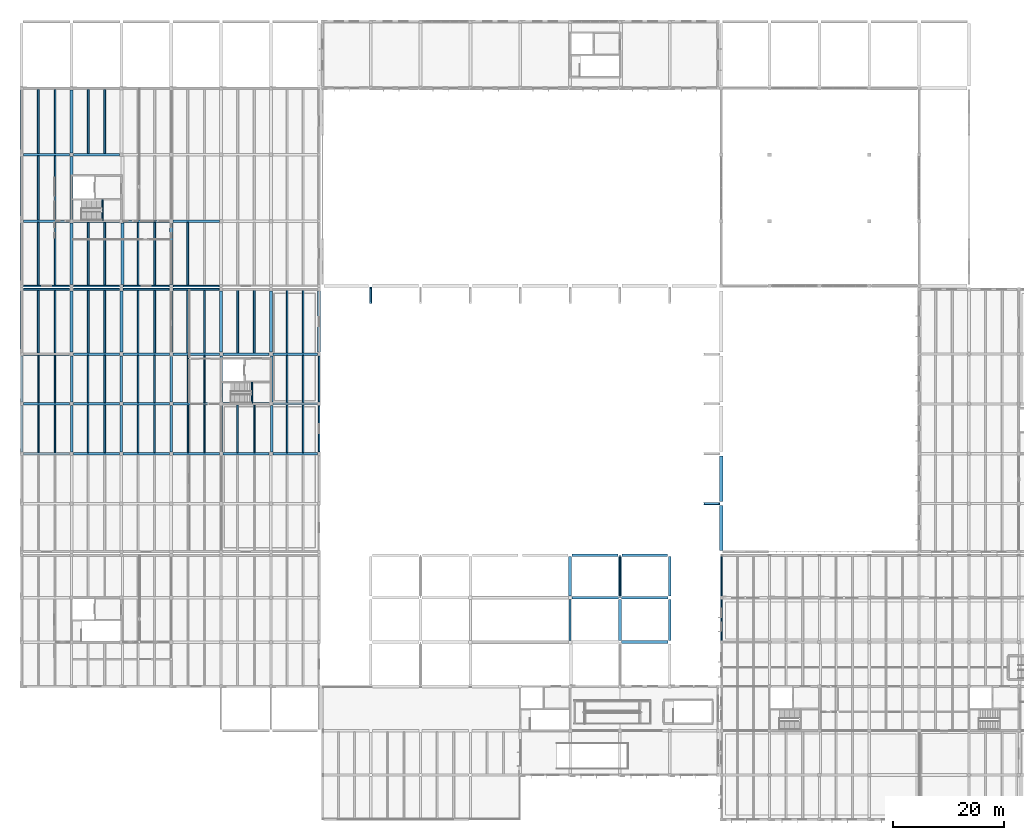
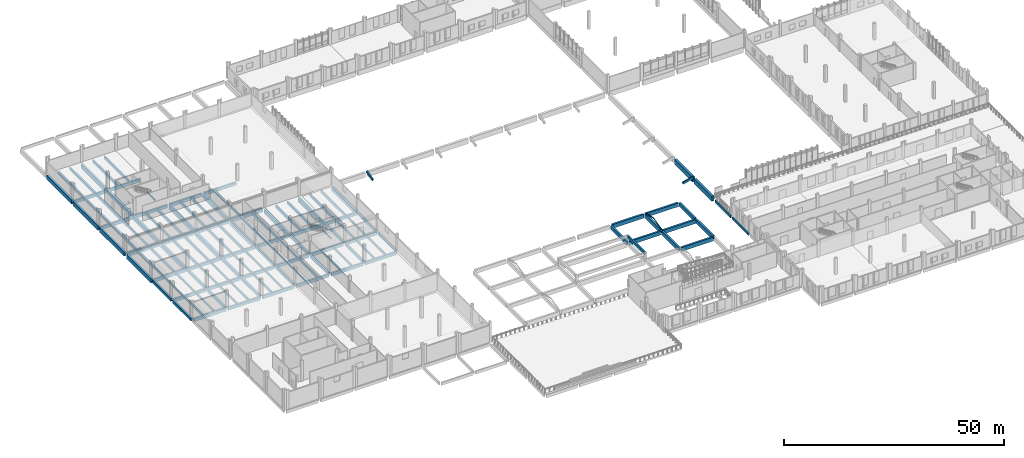
# One storey, part 8 of 63: 127 beams, 2 members.
"""IFC4 building model written with IfcOpenShell, lengths in metres."""

from ifc_helpers import new_model, si_unit, direction, frame, origin, origin_2d, place, context, subcontext, project, spatial, rectangle, hollow_circle, extrude, material, material_profile, profile_set, type_object, element, save


model = new_model("IFC4")

# Units and contexts
model_context = context("Model", 3, precision=1e-05, world=origin(), true_north=direction((0.0, 1.0)))
body_context = subcontext(model_context, "Body", "Model", "MODEL_VIEW")
ifc_project = project(units=[si_unit("LENGTHUNIT", "METRE"), si_unit("AREAUNIT", "SQUARE_METRE"), si_unit("VOLUMEUNIT", "CUBIC_METRE"), si_unit("PLANEANGLEUNIT", "RADIAN"), si_unit("MASSUNIT", "GRAM", prefix="KILO")], contexts=[model_context])

# Site, building, storey
site_placement = place(None, origin())
site = spatial("IfcSite", under=ifc_project, at=site_placement, CompositionType="ELEMENT")
building_placement = place(site_placement, origin())
building = spatial("IfcBuilding", under=site, at=building_placement, Name="Zacnel Wholesale Market", CompositionType="ELEMENT")
storey_placement = place(building_placement, frame((0.0, 0.0, 11.199951171875)))
storey = spatial("IfcBuildingStorey", under=building, at=storey_placement, Name="L03", CompositionType="ELEMENT", Elevation=11.199951171875)

# Beams
ifc_material_1 = material(Name="Concrete C40/50", Category="concrete")
ifc_material_profile_1 = material_profile(ifc_material_1, rectangle(XDim=0.35009765625, YDim=0.60009765625, at=origin_2d()), Name="ARCH RIB 350x600")
ifc_profile_set_1 = profile_set([ifc_material_profile_1], Name="Concrete C40/50")
beam_type_1 = type_object("IfcBeamType", Name="BM-AR600", PredefinedType="USERDEFINED", material=ifc_profile_set_1)
for number, where, z_axis, x_axis, name in (
    (1, (81.0, 95.9599609375, 0.219970703125), (0.0, -0.971783266457, -0.235875566843), (1.0, 0.0, 0.0), "Storm eave extrados rib 001"),
    (2, (143.9599609375, 57.0, 0.219970703125), (-0.971783266457, 0.0, -0.235875566843), (0.0, -1.0, 0.0), "Storm eave extrados rib 011"),
):
    element("IfcBeam", number, at=place(storey_placement, frame(where, z_axis=z_axis, x_axis=x_axis)), inside=storey, type_object=beam_type_1, Name=name, ObjectType="ARCH RIB", PredefinedType="USERDEFINED", context=body_context, shape_type="SweptSolid", body=[
        extrude(rectangle(XDim=0.35009765625, YDim=0.60009765625, at=origin_2d()), origin(), (0.0, 0.0, 1.0), 2.840087890625),
    ])
ifc_material_2 = material(Name="Precast concrete C45/55", Category="concrete")
ifc_material_profile_2 = material_profile(ifc_material_2, rectangle(XDim=0.280029296875, YDim=0.60009765625, at=origin_2d()), Name="DT RIB 280x600")
ifc_profile_set_2 = profile_set([ifc_material_profile_2], Name="Precast concrete C45/55")
beam_type_2 = type_object("IfcBeamType", Name="BM-DT600", PredefinedType="JOIST", material=ifc_profile_set_2)
for number, where, z_axis, x_axis, name in (
    (3, (21.0, 66.22509765625, -0.599853515625), (0.0, 1.0, 0.0), (-1.0, 0.0, 0.0), "Precast secondary joist L03-0515"),
    (4, (24.0, 66.22509765625, -0.599853515625), (0.0, 1.0, 0.0), (-1.0, 0.0, 0.0), "Precast secondary joist L03-0516"),
    (5, (30.0, 66.22509765625, -0.599853515625), (0.0, 1.0, 0.0), (-1.0, 0.0, 0.0), "Precast secondary joist L03-0517"),
    (6, (33.0, 66.22509765625, -0.599853515625), (0.0, 1.0, 0.0), (-1.0, 0.0, 0.0), "Precast secondary joist L03-0518"),
    (7, (39.0, 66.22509765625, -0.599853515625), (0.0, 1.0, 0.0), (-1.0, 0.0, 0.0), "Precast secondary joist L03-0519"),
    (8, (42.0, 66.22509765625, -0.599853515625), (0.0, 1.0, 0.0), (-1.0, 0.0, 0.0), "Precast secondary joist L03-0520"),
    (9, (48.0, 66.22509765625, -0.599853515625), (0.0, 1.0, 0.0), (-1.0, 0.0, 0.0), "Precast secondary joist L03-0521"),
    (10, (51.0, 66.22509765625, -0.599853515625), (0.0, 1.0, 0.0), (-1.0, 0.0, 0.0), "Precast secondary joist L03-0522"),
    (11, (57.0, 66.22509765625, -0.599853515625), (0.0, 1.0, 0.0), (-1.0, 0.0, 0.0), "Precast secondary joist L03-0523"),
    (12, (60.0, 66.22509765625, -0.599853515625), (0.0, 1.0, 0.0), (-1.0, 0.0, 0.0), "Precast secondary joist L03-0524"),
    (13, (65.89990234375, 66.22509765625, -0.599853515625), (0.0, 1.0, 0.0), (-1.0, 0.0, 0.0), "Precast secondary joist L03-0525"),
    (14, (68.800048828125, 66.22509765625, -0.599853515625), (0.0, 1.0, 0.0), (-1.0, 0.0, 0.0), "Precast secondary joist L03-0526"),
    (15, (21.0, 75.22509765625, -0.599853515625), (0.0, 1.0, 0.0), (-1.0, 0.0, 0.0), "Precast secondary joist L03-0533"),
    (16, (24.0, 75.22509765625, -0.599853515625), (0.0, 1.0, 0.0), (-1.0, 0.0, 0.0), "Precast secondary joist L03-0534"),
    (17, (30.0, 75.22509765625, -0.599853515625), (0.0, 1.0, 0.0), (-1.0, 0.0, 0.0), "Precast secondary joist L03-0535"),
    (18, (33.0, 75.22509765625, -0.599853515625), (0.0, 1.0, 0.0), (-1.0, 0.0, 0.0), "Precast secondary joist L03-0536"),
    (19, (39.0, 75.22509765625, -0.599853515625), (0.0, 1.0, 0.0), (-1.0, 0.0, 0.0), "Precast secondary joist L03-0537"),
    (20, (42.0, 75.22509765625, -0.599853515625), (0.0, 1.0, 0.0), (-1.0, 0.0, 0.0), "Precast secondary joist L03-0538"),
    (21, (48.0, 75.22509765625, -0.599853515625), (0.0, 1.0, 0.0), (-1.0, 0.0, 0.0), "Precast secondary joist L03-0539"),
    (22, (51.0, 75.22509765625, -0.599853515625), (0.0, 1.0, 0.0), (-1.0, 0.0, 0.0), "Precast secondary joist L03-0540"),
    (23, (65.89990234375, 75.22509765625, -0.599853515625), (0.0, 1.0, 0.0), (-1.0, 0.0, 0.0), "Precast secondary joist L03-0541"),
    (24, (68.800048828125, 75.22509765625, -0.599853515625), (0.0, 1.0, 0.0), (-1.0, 0.0, 0.0), "Precast secondary joist L03-0542"),
):
    element("IfcBeam", number, at=place(storey_placement, frame(where, z_axis=z_axis, x_axis=x_axis)), inside=storey, type_object=beam_type_2, Name=name, PredefinedType="JOIST", context=body_context, shape_type="SweptSolid", body=[
        extrude(rectangle(XDim=0.280029296875, YDim=0.60009765625, at=origin_2d()), origin(), (0.0, 0.0, 1.0), 8.5498046875),
    ])
ifc_material_3 = material(Name="Precast concrete C45/55", Category="concrete")
ifc_material_profile_3 = material_profile(ifc_material_3, rectangle(XDim=0.320068359375, YDim=0.75, at=origin_2d()), Name="DT RIB 320x750")
ifc_profile_set_3 = profile_set([ifc_material_profile_3], Name="Precast concrete C45/55")
beam_type_3 = type_object("IfcBeamType", Name="BM-DT750", PredefinedType="JOIST", material=ifc_profile_set_3)
for number, where, z_axis, x_axis, name in (
    (25, (21.0, 84.22509765625, -0.675048828125), (0.0, 1.0, 0.0), (-1.0, 0.0, 0.0), "Precast secondary joist L03-0551"),
    (26, (24.0, 84.22509765625, -0.675048828125), (0.0, 1.0, 0.0), (-1.0, 0.0, 0.0), "Precast secondary joist L03-0552"),
    (27, (30.0, 84.22509765625, -0.675048828125), (0.0, 1.0, 0.0), (-1.0, 0.0, 0.0), "Precast secondary joist L03-0553"),
    (28, (33.0, 84.22509765625, -0.675048828125), (0.0, 1.0, 0.0), (-1.0, 0.0, 0.0), "Precast secondary joist L03-0554"),
    (29, (39.0, 84.22509765625, -0.675048828125), (0.0, 1.0, 0.0), (-1.0, 0.0, 0.0), "Precast secondary joist L03-0555"),
    (30, (42.0, 84.22509765625, -0.675048828125), (0.0, 1.0, 0.0), (-1.0, 0.0, 0.0), "Precast secondary joist L03-0556"),
    (31, (48.0, 84.22509765625, -0.675048828125), (0.0, 1.0, 0.0), (-1.0, 0.0, 0.0), "Precast secondary joist L03-0557"),
    (32, (51.0, 84.22509765625, -0.675048828125), (0.0, 1.0, 0.0), (-1.0, 0.0, 0.0), "Precast secondary joist L03-0558"),
    (33, (57.0, 84.22509765625, -0.675048828125), (0.0, 1.0, 0.0), (-1.0, 0.0, 0.0), "Precast secondary joist L03-0559"),
    (34, (60.0, 84.22509765625, -0.675048828125), (0.0, 1.0, 0.0), (-1.0, 0.0, 0.0), "Precast secondary joist L03-0560"),
    (35, (65.89990234375, 84.22509765625, -0.675048828125), (0.0, 1.0, 0.0), (-1.0, 0.0, 0.0), "Precast secondary joist L03-0561"),
    (36, (68.800048828125, 84.22509765625, -0.675048828125), (0.0, 1.0, 0.0), (-1.0, 0.0, 0.0), "Precast secondary joist L03-0562"),
    (37, (21.0, 96.4599609375, -0.675048828125), (0.0, 1.0, 0.0), (-1.0, 0.0, 0.0), "Precast secondary joist L03-0571"),
    (38, (24.0, 96.4599609375, -0.675048828125), (0.0, 1.0, 0.0), (-1.0, 0.0, 0.0), "Precast secondary joist L03-0572"),
    (39, (30.0, 96.4599609375, -0.675048828125), (0.0, 1.0, 0.0), (-1.0, 0.0, 0.0), "Precast secondary joist L03-0573"),
    (40, (33.0, 96.4599609375, -0.675048828125), (0.0, 1.0, 0.0), (-1.0, 0.0, 0.0), "Precast secondary joist L03-0574"),
    (41, (39.0, 96.4599609375, -0.675048828125), (0.0, 1.0, 0.0), (-1.0, 0.0, 0.0), "Precast secondary joist L03-0575"),
    (42, (42.0, 96.4599609375, -0.675048828125), (0.0, 1.0, 0.0), (-1.0, 0.0, 0.0), "Precast secondary joist L03-0576"),
    (43, (48.0, 96.4599609375, -0.675048828125), (0.0, 1.0, 0.0), (-1.0, 0.0, 0.0), "Precast secondary joist L03-0577"),
):
    element("IfcBeam", number, at=place(storey_placement, frame(where, z_axis=z_axis, x_axis=x_axis)), inside=storey, type_object=beam_type_3, Name=name, PredefinedType="JOIST", context=body_context, shape_type="SweptSolid", body=[
        extrude(rectangle(XDim=0.320068359375, YDim=0.75, at=origin_2d()), origin(), (0.0, 0.0, 1.0), 11.31494140625),
    ])
for number, where, z_axis, x_axis, name in (
    (44, (21.0, 108.22509765625, -0.675048828125), (0.0, 1.0, 0.0), (-1.0, 0.0, 0.0), "Precast secondary joist L03-0583"),
    (45, (24.0, 108.22509765625, -0.675048828125), (0.0, 1.0, 0.0), (-1.0, 0.0, 0.0), "Precast secondary joist L03-0584"),
    (46, (21.0, 120.22509765625, -0.675048828125), (0.0, 1.0, 0.0), (-1.0, 0.0, 0.0), "Precast secondary joist L03-0593"),
    (47, (24.0, 120.22509765625, -0.675048828125), (0.0, 1.0, 0.0), (-1.0, 0.0, 0.0), "Precast secondary joist L03-0594"),
    (48, (30.0, 120.22509765625, -0.675048828125), (0.0, 1.0, 0.0), (-1.0, 0.0, 0.0), "Precast secondary joist L03-0595"),
    (49, (33.0, 120.22509765625, -0.675048828125), (0.0, 1.0, 0.0), (-1.0, 0.0, 0.0), "Precast secondary joist L03-0596"),
):
    element("IfcBeam", number, at=place(storey_placement, frame(where, z_axis=z_axis, x_axis=x_axis)), inside=storey, type_object=beam_type_3, Name=name, PredefinedType="JOIST", context=body_context, shape_type="SweptSolid", body=[
        extrude(rectangle(XDim=0.320068359375, YDim=0.75, at=origin_2d()), origin(), (0.0, 0.0, 1.0), 11.5498046875),
    ])
ifc_material_4 = material(Name="Precast concrete C45/55", Category="concrete")
ifc_material_profile_4 = material_profile(ifc_material_4, rectangle(XDim=0.25, YDim=0.35009765625, at=origin_2d()), Name="LN 250x350")
ifc_profile_set_4 = profile_set([ifc_material_profile_4], Name="Precast concrete C45/55")
beam_type_4 = type_object("IfcBeamType", Name="BM-LN350", PredefinedType="LINTEL", material=ifc_profile_set_4)
for number, where, z_axis, x_axis, name in (
    (50, (59.56005859375, 75.080078125, 1.900146484375), (0.0, 1.0, 0.0), (-1.0, 0.0, 0.0), "Stair ST-11 half-landing bearing beam"),
    (51, (32.56005859375, 108.080078125, 1.900146484375), (0.0, 1.0, 0.0), (-1.0, 0.0, 0.0), "Stair ST-30 half-landing bearing beam"),
):
    element("IfcBeam", number, at=place(storey_placement, frame(where, z_axis=z_axis, x_axis=x_axis)), inside=storey, type_object=beam_type_4, Name=name, PredefinedType="LINTEL", context=body_context, shape_type="SweptSolid", body=[
        extrude(rectangle(XDim=0.25, YDim=0.35009765625, at=origin_2d()), origin(), (0.0, 0.0, 1.0), 3.7900390625),
    ])
ifc_material_5 = material(Name="Precast concrete C45/55", Category="concrete")
ifc_material_profile_5 = material_profile(ifc_material_5, rectangle(XDim=0.5, YDim=1.050048828125, at=origin_2d()), Name="PG 500x1050")
ifc_profile_set_5 = profile_set([ifc_material_profile_5], Name="Precast concrete C45/55")
beam_type_5 = type_object("IfcBeamType", Name="BM-PG1050", PredefinedType="T_BEAM", material=ifc_profile_set_5)
for number, where, z_axis, x_axis, name in (
    (52, (126.300048828125, 32.0, 1.6650390625), (1.0, 0.0, 0.0), (0.0, 1.0, 0.0), "Precast girder X-0622"),
    (53, (117.300048828125, 40.0, 1.6650390625), (1.0, 0.0, 0.0), (0.0, 1.0, 0.0), "Precast girder X-0640"),
    (54, (126.300048828125, 40.0, 1.6650390625), (1.0, 0.0, 0.0), (0.0, 1.0, 0.0), "Precast girder X-0641"),
):
    element("IfcBeam", number, at=place(storey_placement, frame(where, z_axis=z_axis, x_axis=x_axis)), inside=storey, type_object=beam_type_5, Name=name, PredefinedType="T_BEAM", context=body_context, shape_type="SweptSolid", body=[
        extrude(rectangle(XDim=0.5, YDim=1.050048828125, at=origin_2d()), origin(), (0.0, 0.0, 1.0), 8.39990234375),
    ])
for number, where, z_axis, x_axis, name in (
    (55, (117.375, 47.699951171875, 1.6650390625), (1.0, 0.0, 0.0), (0.0, 1.0, 0.0), "Precast girder X-0660"),
    (56, (126.375, 47.699951171875, 1.6650390625), (1.0, 0.0, 0.0), (0.0, 1.0, 0.0), "Precast girder X-0661"),
):
    element("IfcBeam", number, at=place(storey_placement, frame(where, z_axis=z_axis, x_axis=x_axis)), inside=storey, type_object=beam_type_5, Name=name, PredefinedType="T_BEAM", context=body_context, shape_type="SweptSolid", body=[
        extrude(rectangle(XDim=0.5, YDim=1.050048828125, at=origin_2d()), origin(), (0.0, 0.0, 1.0), 8.25),
    ])
beam_1_placement = place(storey_placement, frame((117.0, 40.300048828125, 1.6650390625), z_axis=(0.0, 1.0, 0.0), x_axis=(-1.0, 0.0, 0.0)))
element("IfcBeam", 57, at=beam_1_placement, inside=storey, type_object=beam_type_5, Name="Precast girder Y-0909", PredefinedType="T_BEAM", context=body_context, shape_type="SweptSolid", body=[
    extrude(rectangle(XDim=0.5, YDim=1.050048828125, at=origin_2d()), origin(), (0.0, 0.0, 1.0), 7.125),
])
beam_2_placement = place(storey_placement, frame((126.0, 32.300048828125, 1.6650390625), z_axis=(0.0, 1.0, 0.0), x_axis=(-1.0, 0.0, 0.0)))
element("IfcBeam", 58, at=beam_2_placement, inside=storey, type_object=beam_type_5, Name="Precast girder Y-0912", PredefinedType="T_BEAM", context=body_context, shape_type="SweptSolid", body=[
    extrude(rectangle(XDim=0.5, YDim=1.050048828125, at=origin_2d()), origin(), (0.0, 0.0, 1.0), 7.39990234375),
])
beam_3_placement = place(storey_placement, frame((126.0, 40.300048828125, 1.6650390625), z_axis=(0.0, 1.0, 0.0), x_axis=(-1.0, 0.0, 0.0)))
element("IfcBeam", 59, at=beam_3_placement, inside=storey, type_object=beam_type_5, Name="Precast girder Y-0913", PredefinedType="T_BEAM", context=body_context, shape_type="SweptSolid", body=[
    extrude(rectangle(XDim=0.5, YDim=1.050048828125, at=origin_2d()), origin(), (0.0, 0.0, 1.0), 7.125),
])
beam_4_placement = place(storey_placement, frame((135.0, 32.300048828125, 1.6650390625), z_axis=(0.0, 1.0, 0.0), x_axis=(-1.0, 0.0, 0.0)))
element("IfcBeam", 60, at=beam_4_placement, inside=storey, type_object=beam_type_5, Name="Precast girder Y-0916", PredefinedType="T_BEAM", context=body_context, shape_type="SweptSolid", body=[
    extrude(rectangle(XDim=0.5, YDim=1.050048828125, at=origin_2d()), origin(), (0.0, 0.0, 1.0), 7.39990234375),
])
beam_5_placement = place(storey_placement, frame((135.0, 40.300048828125, 1.6650390625), z_axis=(0.0, 1.0, 0.0), x_axis=(-1.0, 0.0, 0.0)))
element("IfcBeam", 61, at=beam_5_placement, inside=storey, type_object=beam_type_5, Name="Precast girder Y-0917", PredefinedType="T_BEAM", context=body_context, shape_type="SweptSolid", body=[
    extrude(rectangle(XDim=0.5, YDim=1.050048828125, at=origin_2d()), origin(), (0.0, 0.0, 1.0), 7.125),
])
ifc_material_6 = material(Name="Precast concrete C45/55", Category="concrete")
ifc_material_profile_6 = material_profile(ifc_material_6, rectangle(XDim=0.550048828125, YDim=1.14990234375, at=origin_2d()), Name="PG 550x1150")
ifc_profile_set_6 = profile_set([ifc_material_profile_6], Name="Precast concrete C45/55")
beam_type_6 = type_object("IfcBeamType", Name="BM-PG1150", PredefinedType="T_BEAM", material=ifc_profile_set_6)
for number, where, z_axis, x_axis, name in (
    (62, (18.0, 84.324951171875, -0.875), (0.0, 1.0, 0.0), (-1.0, 0.0, 0.0), "Precast girder Y-0806"),
    (63, (18.0, 96.574951171875, -0.875), (0.0, 1.0, 0.0), (-1.0, 0.0, 0.0), "Precast girder Y-0807"),
):
    element("IfcBeam", number, at=place(storey_placement, frame(where, z_axis=z_axis, x_axis=x_axis)), inside=storey, type_object=beam_type_6, Name=name, PredefinedType="T_BEAM", context=body_context, shape_type="SweptSolid", body=[
        extrude(rectangle(XDim=0.550048828125, YDim=1.14990234375, at=origin_2d()), origin(), (0.0, 0.0, 1.0), 11.10009765625),
    ])
for number, where, z_axis, x_axis, name in (
    (64, (18.0, 108.324951171875, -0.875), (0.0, 1.0, 0.0), (-1.0, 0.0, 0.0), "Precast girder Y-0808"),
    (65, (18.0, 120.324951171875, -0.875), (0.0, 1.0, 0.0), (-1.0, 0.0, 0.0), "Precast girder Y-0809"),
):
    element("IfcBeam", number, at=place(storey_placement, frame(where, z_axis=z_axis, x_axis=x_axis)), inside=storey, type_object=beam_type_6, Name=name, PredefinedType="T_BEAM", context=body_context, shape_type="SweptSolid", body=[
        extrude(rectangle(XDim=0.550048828125, YDim=1.14990234375, at=origin_2d()), origin(), (0.0, 0.0, 1.0), 11.35009765625),
    ])
for number, where, z_axis, x_axis, name in (
    (66, (27.0, 84.324951171875, -0.875), (0.0, 1.0, 0.0), (-1.0, 0.0, 0.0), "Precast girder Y-0818"),
    (67, (27.0, 96.574951171875, -0.875), (0.0, 1.0, 0.0), (-1.0, 0.0, 0.0), "Precast girder Y-0819"),
):
    element("IfcBeam", number, at=place(storey_placement, frame(where, z_axis=z_axis, x_axis=x_axis)), inside=storey, type_object=beam_type_6, Name=name, PredefinedType="T_BEAM", context=body_context, shape_type="SweptSolid", body=[
        extrude(rectangle(XDim=0.550048828125, YDim=1.14990234375, at=origin_2d()), origin(), (0.0, 0.0, 1.0), 11.10009765625),
    ])
for number, where, z_axis, x_axis, name in (
    (68, (27.0, 108.324951171875, -0.875), (0.0, 1.0, 0.0), (-1.0, 0.0, 0.0), "Precast girder Y-0820"),
    (69, (27.0, 120.324951171875, -0.875), (0.0, 1.0, 0.0), (-1.0, 0.0, 0.0), "Precast girder Y-0821"),
):
    element("IfcBeam", number, at=place(storey_placement, frame(where, z_axis=z_axis, x_axis=x_axis)), inside=storey, type_object=beam_type_6, Name=name, PredefinedType="T_BEAM", context=body_context, shape_type="SweptSolid", body=[
        extrude(rectangle(XDim=0.550048828125, YDim=1.14990234375, at=origin_2d()), origin(), (0.0, 0.0, 1.0), 11.35009765625),
    ])
for number, where, z_axis, x_axis, name in (
    (70, (36.0, 84.324951171875, -0.875), (0.0, 1.0, 0.0), (-1.0, 0.0, 0.0), "Precast girder Y-0830"),
    (71, (36.179931640625, 96.574951171875, -0.875), (0.0, 1.0, 0.0), (-1.0, 0.0, 0.0), "Precast girder Y-0831"),
    (72, (45.0, 84.324951171875, -0.875), (0.0, 1.0, 0.0), (-1.0, 0.0, 0.0), "Precast girder Y-0842"),
    (73, (45.0, 96.574951171875, -0.875), (0.0, 1.0, 0.0), (-1.0, 0.0, 0.0), "Precast girder Y-0843"),
    (74, (54.0, 84.324951171875, -0.875), (0.0, 1.0, 0.0), (-1.0, 0.0, 0.0), "Precast girder Y-0854"),
    (75, (63.0, 84.324951171875, -0.875), (0.0, 1.0, 0.0), (-1.0, 0.0, 0.0), "Precast girder Y-0866"),
):
    element("IfcBeam", number, at=place(storey_placement, frame(where, z_axis=z_axis, x_axis=x_axis)), inside=storey, type_object=beam_type_6, Name=name, PredefinedType="T_BEAM", context=body_context, shape_type="SweptSolid", body=[
        extrude(rectangle(XDim=0.550048828125, YDim=1.14990234375, at=origin_2d()), origin(), (0.0, 0.0, 1.0), 11.10009765625),
    ])
beam_6_placement = place(storey_placement, frame((71.699951171875, 84.375, -0.875), z_axis=(0.0, 1.0, 0.0), x_axis=(-1.0, 0.0, 0.0)))
element("IfcBeam", 76, at=beam_6_placement, inside=storey, type_object=beam_type_6, Name="Precast girder Y-0878", PredefinedType="T_BEAM", context=body_context, shape_type="SweptSolid", body=[
    extrude(rectangle(XDim=0.550048828125, YDim=1.14990234375, at=origin_2d()), origin(), (0.0, 0.0, 1.0), 11.050048828125),
])
ifc_material_7 = material(Name="Precast concrete C45/55", Category="concrete")
ifc_material_profile_7 = material_profile(ifc_material_7, rectangle(XDim=0.39990234375, YDim=0.75, at=origin_2d()), Name="PG 400x750")
ifc_profile_set_7 = profile_set([ifc_material_profile_7], Name="Precast concrete C45/55")
beam_type_7 = type_object("IfcBeamType", Name="BM-PG750", PredefinedType="BEAM", material=ifc_profile_set_7)
beam_7_placement = place(storey_placement, frame((117.0, 32.300048828125, 3.679931640625), z_axis=(0.0, 1.0, 0.0), x_axis=(-1.0, 0.0, 0.0)))
element("IfcBeam", 77, at=beam_7_placement, inside=storey, type_object=beam_type_7, Name="Auction pavilion collar beam 04", PredefinedType="BEAM", context=body_context, shape_type="SweptSolid", body=[
    extrude(rectangle(XDim=0.39990234375, YDim=0.75, at=origin_2d()), origin(), (0.0, 0.0, 1.0), 7.39990234375),
])
ifc_material_8 = material(Name="Precast concrete C45/55", Category="concrete")
ifc_material_profile_8 = material_profile(ifc_material_8, rectangle(XDim=0.449951171875, YDim=0.800048828125, at=origin_2d()), Name="PG 450x800")
ifc_profile_set_8 = profile_set([ifc_material_profile_8], Name="Precast concrete C45/55")
beam_type_8 = type_object("IfcBeamType", Name="BM-PG800", PredefinedType="BEAM", material=ifc_profile_set_8)
for number, where, z_axis, x_axis, name in (
    (78, (18.0, 66.324951171875, -0.699951171875), (0.0, 1.0, 0.0), (-1.0, 0.0, 0.0), "Precast girder Y-0804"),
    (79, (18.0, 75.324951171875, -0.699951171875), (0.0, 1.0, 0.0), (-1.0, 0.0, 0.0), "Precast girder Y-0805"),
    (80, (27.0, 66.324951171875, -0.699951171875), (0.0, 1.0, 0.0), (-1.0, 0.0, 0.0), "Precast girder Y-0816"),
    (81, (27.0, 75.324951171875, -0.699951171875), (0.0, 1.0, 0.0), (-1.0, 0.0, 0.0), "Precast girder Y-0817"),
    (82, (36.0, 66.324951171875, -0.699951171875), (0.0, 1.0, 0.0), (-1.0, 0.0, 0.0), "Precast girder Y-0828"),
    (83, (36.0, 75.324951171875, -0.699951171875), (0.0, 1.0, 0.0), (-1.0, 0.0, 0.0), "Precast girder Y-0829"),
    (84, (45.0, 66.324951171875, -0.699951171875), (0.0, 1.0, 0.0), (-1.0, 0.0, 0.0), "Precast girder Y-0840"),
    (85, (45.0, 75.324951171875, -0.699951171875), (0.0, 1.0, 0.0), (-1.0, 0.0, 0.0), "Precast girder Y-0841"),
    (86, (54.0, 66.324951171875, -0.699951171875), (0.0, 1.0, 0.0), (-1.0, 0.0, 0.0), "Precast girder Y-0852"),
    (87, (54.0, 75.324951171875, -0.699951171875), (0.0, 1.0, 0.0), (-1.0, 0.0, 0.0), "Precast girder Y-0853"),
    (88, (63.179931640625, 66.324951171875, -0.699951171875), (0.0, 1.0, 0.0), (-1.0, 0.0, 0.0), "Precast girder Y-0864"),
    (89, (63.179931640625, 75.324951171875, -0.699951171875), (0.0, 1.0, 0.0), (-1.0, 0.0, 0.0), "Precast girder Y-0865"),
):
    element("IfcBeam", number, at=place(storey_placement, frame(where, z_axis=z_axis, x_axis=x_axis)), inside=storey, type_object=beam_type_8, Name=name, PredefinedType="BEAM", context=body_context, shape_type="SweptSolid", body=[
        extrude(rectangle(XDim=0.449951171875, YDim=0.800048828125, at=origin_2d()), origin(), (0.0, 0.0, 1.0), 8.35009765625),
    ])
ifc_material_9 = material(Name="Precast concrete C45/55", Category="concrete")
ifc_material_profile_9 = material_profile(ifc_material_9, rectangle(XDim=0.449951171875, YDim=0.85009765625, at=origin_2d()), Name="PG 450x850")
ifc_profile_set_9 = profile_set([ifc_material_profile_9], Name="Precast concrete C45/55")
beam_type_9 = type_object("IfcBeamType", Name="BM-PG850", PredefinedType="BEAM", material=ifc_profile_set_9)
for number, where, z_axis, x_axis, name in (
    (90, (18.324951171875, 66.0, -0.724853515625), (1.0, 0.0, 0.0), (0.0, 1.0, 0.0), "Precast girder X-0690"),
    (91, (27.324951171875, 66.0, -0.724853515625), (1.0, 0.0, 0.0), (0.0, 1.0, 0.0), "Precast girder X-0691"),
    (92, (36.324951171875, 66.0, -0.724853515625), (1.0, 0.0, 0.0), (0.0, 1.0, 0.0), "Precast girder X-0692"),
    (93, (45.324951171875, 66.0, -0.724853515625), (1.0, 0.0, 0.0), (0.0, 1.0, 0.0), "Precast girder X-0693"),
    (94, (54.324951171875, 66.0, -0.724853515625), (1.0, 0.0, 0.0), (0.0, 1.0, 0.0), "Precast girder X-0694"),
):
    element("IfcBeam", number, at=place(storey_placement, frame(where, z_axis=z_axis, x_axis=x_axis)), inside=storey, type_object=beam_type_9, Name=name, PredefinedType="BEAM", context=body_context, shape_type="SweptSolid", body=[
        extrude(rectangle(XDim=0.449951171875, YDim=0.85009765625, at=origin_2d()), origin(), (0.0, 0.0, 1.0), 8.35009765625),
    ])
beam_8_placement = place(storey_placement, frame((63.324951171875, 66.0, -0.724853515625), z_axis=(1.0, 0.0, 0.0), x_axis=(0.0, 1.0, 0.0)))
element("IfcBeam", 95, at=beam_8_placement, inside=storey, type_object=beam_type_9, Name="Precast girder X-0695", PredefinedType="BEAM", context=body_context, shape_type="SweptSolid", body=[
    extrude(rectangle(XDim=0.449951171875, YDim=0.85009765625, at=origin_2d()), origin(), (0.0, 0.0, 1.0), 8.10009765625),
])
for number, where, z_axis, x_axis, name in (
    (96, (18.324951171875, 75.0, -0.724853515625), (1.0, 0.0, 0.0), (0.0, 1.0, 0.0), "Precast girder X-0700"),
    (97, (27.324951171875, 75.0, -0.724853515625), (1.0, 0.0, 0.0), (0.0, 1.0, 0.0), "Precast girder X-0701"),
    (98, (36.324951171875, 75.0, -0.724853515625), (1.0, 0.0, 0.0), (0.0, 1.0, 0.0), "Precast girder X-0702"),
    (99, (45.324951171875, 75.0, -0.724853515625), (1.0, 0.0, 0.0), (0.0, 1.0, 0.0), "Precast girder X-0703"),
    (100, (54.324951171875, 75.0, -0.724853515625), (1.0, 0.0, 0.0), (0.0, 1.0, 0.0), "Precast girder X-0704"),
):
    element("IfcBeam", number, at=place(storey_placement, frame(where, z_axis=z_axis, x_axis=x_axis)), inside=storey, type_object=beam_type_9, Name=name, PredefinedType="BEAM", context=body_context, shape_type="SweptSolid", body=[
        extrude(rectangle(XDim=0.449951171875, YDim=0.85009765625, at=origin_2d()), origin(), (0.0, 0.0, 1.0), 8.35009765625),
    ])
beam_9_placement = place(storey_placement, frame((63.324951171875, 75.0, -0.724853515625), z_axis=(1.0, 0.0, 0.0), x_axis=(0.0, 1.0, 0.0)))
element("IfcBeam", 101, at=beam_9_placement, inside=storey, type_object=beam_type_9, Name="Precast girder X-0705", PredefinedType="BEAM", context=body_context, shape_type="SweptSolid", body=[
    extrude(rectangle(XDim=0.449951171875, YDim=0.85009765625, at=origin_2d()), origin(), (0.0, 0.0, 1.0), 8.10009765625),
])
for number, where, z_axis, x_axis, name in (
    (102, (18.324951171875, 84.0, -0.724853515625), (1.0, 0.0, 0.0), (0.0, 1.0, 0.0), "Precast girder X-0710"),
    (103, (27.324951171875, 84.0, -0.724853515625), (1.0, 0.0, 0.0), (0.0, 1.0, 0.0), "Precast girder X-0711"),
    (104, (36.324951171875, 84.0, -0.724853515625), (1.0, 0.0, 0.0), (0.0, 1.0, 0.0), "Precast girder X-0712"),
    (105, (45.324951171875, 84.0, -0.724853515625), (1.0, 0.0, 0.0), (0.0, 1.0, 0.0), "Precast girder X-0713"),
    (106, (54.324951171875, 84.0, -0.724853515625), (1.0, 0.0, 0.0), (0.0, 1.0, 0.0), "Precast girder X-0714"),
):
    element("IfcBeam", number, at=place(storey_placement, frame(where, z_axis=z_axis, x_axis=x_axis)), inside=storey, type_object=beam_type_9, Name=name, PredefinedType="BEAM", context=body_context, shape_type="SweptSolid", body=[
        extrude(rectangle(XDim=0.449951171875, YDim=0.85009765625, at=origin_2d()), origin(), (0.0, 0.0, 1.0), 8.35009765625),
    ])
beam_10_placement = place(storey_placement, frame((63.324951171875, 84.0, -0.724853515625), z_axis=(1.0, 0.0, 0.0), x_axis=(0.0, 1.0, 0.0)))
element("IfcBeam", 107, at=beam_10_placement, inside=storey, type_object=beam_type_9, Name="Precast girder X-0715", PredefinedType="BEAM", context=body_context, shape_type="SweptSolid", body=[
    extrude(rectangle(XDim=0.449951171875, YDim=0.85009765625, at=origin_2d()), origin(), (0.0, 0.0, 1.0), 8.10009765625),
])
for number, where, z_axis, x_axis, name in (
    (108, (18.324951171875, 108.0, -0.724853515625), (1.0, 0.0, 0.0), (0.0, 1.0, 0.0), "Precast girder X-0749"),
    (109, (27.324951171875, 108.0, -0.724853515625), (1.0, 0.0, 0.0), (0.0, 1.0, 0.0), "Precast girder X-0750"),
    (110, (36.324951171875, 108.0, -0.724853515625), (1.0, 0.0, 0.0), (0.0, 1.0, 0.0), "Precast girder X-0751"),
    (111, (45.324951171875, 108.0, -0.724853515625), (1.0, 0.0, 0.0), (0.0, 1.0, 0.0), "Precast girder X-0752"),
    (112, (18.324951171875, 120.0, -0.724853515625), (1.0, 0.0, 0.0), (0.0, 1.0, 0.0), "Precast girder X-0755"),
    (113, (27.324951171875, 120.0, -0.724853515625), (1.0, 0.0, 0.0), (0.0, 1.0, 0.0), "Precast girder X-0756"),
):
    element("IfcBeam", number, at=place(storey_placement, frame(where, z_axis=z_axis, x_axis=x_axis)), inside=storey, type_object=beam_type_9, Name=name, PredefinedType="BEAM", context=body_context, shape_type="SweptSolid", body=[
        extrude(rectangle(XDim=0.449951171875, YDim=0.85009765625, at=origin_2d()), origin(), (0.0, 0.0, 1.0), 8.35009765625),
    ])
ifc_material_10 = material(Name="Concrete C40/50", Category="concrete")
ifc_material_profile_10 = material_profile(ifc_material_10, rectangle(XDim=0.60009765625, YDim=1.39990234375, at=origin_2d()), Name="PTB 600x1400")
ifc_profile_set_10 = profile_set([ifc_material_profile_10], Name="Concrete C40/50")
beam_type_10 = type_object("IfcBeamType", Name="BM-PTB1400", PredefinedType="BEAM", material=ifc_profile_set_10)
beam_11_placement = place(storey_placement, frame((144.300048828125, 48.574951171875, -0.699951171875), z_axis=(0.0, 1.0, 0.0), x_axis=(-1.0, 0.0, 0.0)))
element("IfcBeam", 114, at=beam_11_placement, inside=storey, type_object=beam_type_10, Name="Precast girder Y-0927", PredefinedType="BEAM", context=body_context, shape_type="SweptSolid", body=[
    extrude(rectangle(XDim=0.60009765625, YDim=1.39990234375, at=origin_2d()), origin(), (0.0, 0.0, 1.0), 8.050048828125),
])
beam_12_placement = place(storey_placement, frame((144.300048828125, 57.375, -0.699951171875), z_axis=(0.0, 1.0, 0.0), x_axis=(-1.0, 0.0, 0.0)))
element("IfcBeam", 115, at=beam_12_placement, inside=storey, type_object=beam_type_10, Name="Precast girder Y-0928", PredefinedType="BEAM", context=body_context, shape_type="SweptSolid", body=[
    extrude(rectangle(XDim=0.60009765625, YDim=1.39990234375, at=origin_2d()), origin(), (0.0, 0.0, 1.0), 8.25),
])
ifc_material_11 = material(Name="Precast concrete C45/55", Category="concrete")
ifc_material_profile_11 = material_profile(ifc_material_11, rectangle(XDim=0.300048828125, YDim=0.75, at=origin_2d()), Name="SP 300x750")
ifc_profile_set_11 = profile_set([ifc_material_profile_11], Name="Precast concrete C45/55")
beam_type_11 = type_object("IfcBeamType", Name="BM-SP750", PredefinedType="SPANDREL", material=ifc_profile_set_11)
for number, where, z_axis, x_axis, name in (
    (116, (71.699951171875, 66.375, -0.675048828125), (0.0, 1.0, 0.0), (-1.0, 0.0, 0.0), "Precast girder Y-0876"),
    (117, (71.699951171875, 75.375, -0.675048828125), (0.0, 1.0, 0.0), (-1.0, 0.0, 0.0), "Precast girder Y-0877"),
):
    element("IfcBeam", number, at=place(storey_placement, frame(where, z_axis=z_axis, x_axis=x_axis)), inside=storey, type_object=beam_type_11, Name=name, PredefinedType="SPANDREL", context=body_context, shape_type="SweptSolid", body=[
        extrude(rectangle(XDim=0.300048828125, YDim=0.75, at=origin_2d()), origin(), (0.0, 0.0, 1.0), 8.25),
    ])
beam_13_placement = place(storey_placement, frame((144.300048828125, 32.375, -0.675048828125), z_axis=(0.0, 1.0, 0.0), x_axis=(-1.0, 0.0, 0.0)))
element("IfcBeam", 118, at=beam_13_placement, inside=storey, type_object=beam_type_11, Name="Precast girder Y-0925", PredefinedType="SPANDREL", context=body_context, shape_type="SweptSolid", body=[
    extrude(rectangle(XDim=0.300048828125, YDim=0.75, at=origin_2d()), origin(), (0.0, 0.0, 1.0), 7.25),
])
beam_14_placement = place(storey_placement, frame((144.300048828125, 40.375, -0.71484375), z_axis=(0.0, 1.0, 0.0), x_axis=(-1.0, 0.0, 0.0)))
element("IfcBeam", 119, at=beam_14_placement, inside=storey, type_object=beam_type_11, Name="Precast girder Y-0926", PredefinedType="SPANDREL", context=body_context, shape_type="SweptSolid", body=[
    extrude(rectangle(XDim=0.300048828125, YDim=0.75, at=origin_2d()), origin(), (0.0, 0.0, 1.0), 7.050048828125),
])
ifc_material_12 = material(Name="Precast concrete C45/55", Category="concrete")
ifc_material_profile_12 = material_profile(ifc_material_12, rectangle(XDim=0.320068359375, YDim=0.820068359375, at=origin_2d()), Name="SP 320x820")
ifc_profile_set_12 = profile_set([ifc_material_profile_12], Name="Precast concrete C45/55")
beam_type_12 = type_object("IfcBeamType", Name="BM-SP820", PredefinedType="SPANDREL", material=ifc_profile_set_12)
for number, where, z_axis, x_axis, name in (
    (120, (18.375, 95.699951171875, -0.7099609375), (1.0, 0.0, 0.0), (0.0, 1.0, 0.0), "Precast girder X-0720"),
    (121, (27.375, 95.699951171875, -0.7099609375), (1.0, 0.0, 0.0), (0.0, 1.0, 0.0), "Precast girder X-0721"),
    (122, (36.375, 95.699951171875, -0.7099609375), (1.0, 0.0, 0.0), (0.0, 1.0, 0.0), "Precast girder X-0722"),
    (123, (45.375, 95.699951171875, -0.7099609375), (1.0, 0.0, 0.0), (0.0, 1.0, 0.0), "Precast girder X-0723"),
    (124, (18.375, 96.300048828125, -0.7099609375), (1.0, 0.0, 0.0), (0.0, 1.0, 0.0), "Precast girder X-0730"),
    (125, (27.375, 96.300048828125, -0.7099609375), (1.0, 0.0, 0.0), (0.0, 1.0, 0.0), "Precast girder X-0731"),
    (126, (36.375, 96.300048828125, -0.7099609375), (1.0, 0.0, 0.0), (0.0, 1.0, 0.0), "Precast girder X-0732"),
    (127, (45.375, 96.300048828125, -0.7099609375), (1.0, 0.0, 0.0), (0.0, 1.0, 0.0), "Precast girder X-0733"),
):
    element("IfcBeam", number, at=place(storey_placement, frame(where, z_axis=z_axis, x_axis=x_axis)), inside=storey, type_object=beam_type_12, Name=name, PredefinedType="SPANDREL", context=body_context, shape_type="SweptSolid", body=[
        extrude(rectangle(XDim=0.320068359375, YDim=0.820068359375, at=origin_2d()), origin(), (0.0, 0.0, 1.0), 8.25),
    ])

# Members
ifc_material_13 = material(Name="Steel S355", Category="steel")
ifc_material_profile_13 = material_profile(ifc_material_13, hollow_circle(Radius=0.109619140625, WallThickness=0.010009765625, at=origin_2d()), Name="CHS 219.1x10")
ifc_profile_set_13 = profile_set([ifc_material_profile_13], Name="Steel S355")
member_type = type_object("IfcMemberType", Name="MEM-STR-CHS219", PredefinedType="STRUT", material=ifc_profile_set_13)
for number, where, z_axis, x_axis, name in (
    (128, (126.0, 47.699951171875, 2.25), (0.0, -0.972044379166, 0.234797199584), (1.0, 0.0, 0.0), "Auction pavilion outer hip strut 3A"),
    (129, (126.0, 40.0, 2.25), (0.0, 0.972047777208, 0.234783131476), (-1.0, 0.0, 0.0), "Auction pavilion inner hip strut 3B"),
):
    element("IfcMember", number, at=place(storey_placement, frame(where, z_axis=z_axis, x_axis=x_axis)), inside=storey, type_object=member_type, Name=name, PredefinedType="STRUT", context=body_context, shape_type="SweptSolid", body=[
        extrude(hollow_circle(Radius=0.109619140625, WallThickness=0.010009765625, at=origin_2d()), origin(), (0.0, 0.0, 1.0), 3.960693359375),
    ])

save(model, "model.ifc")
